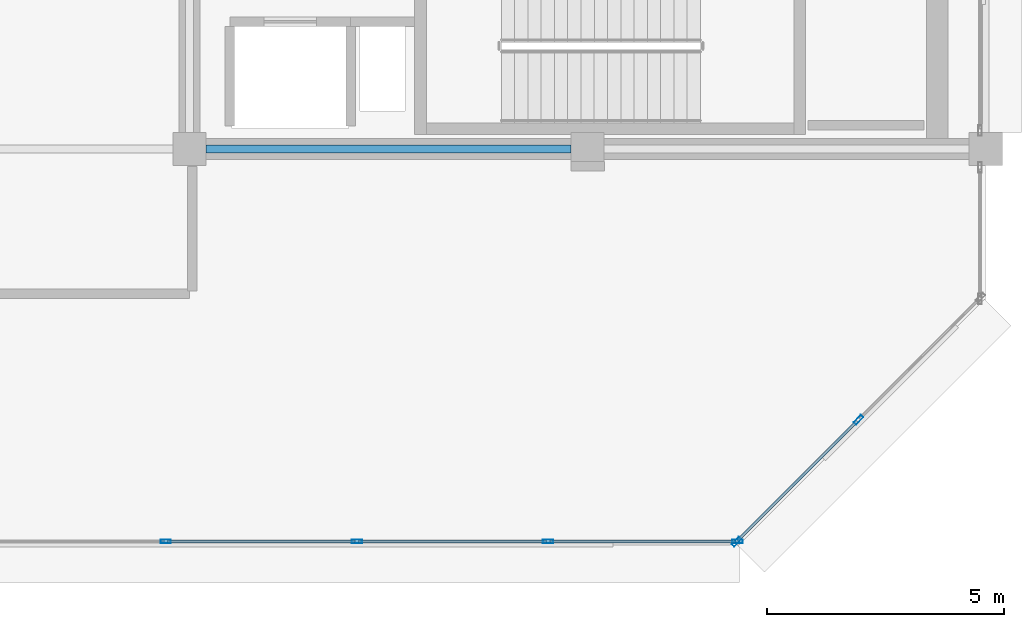
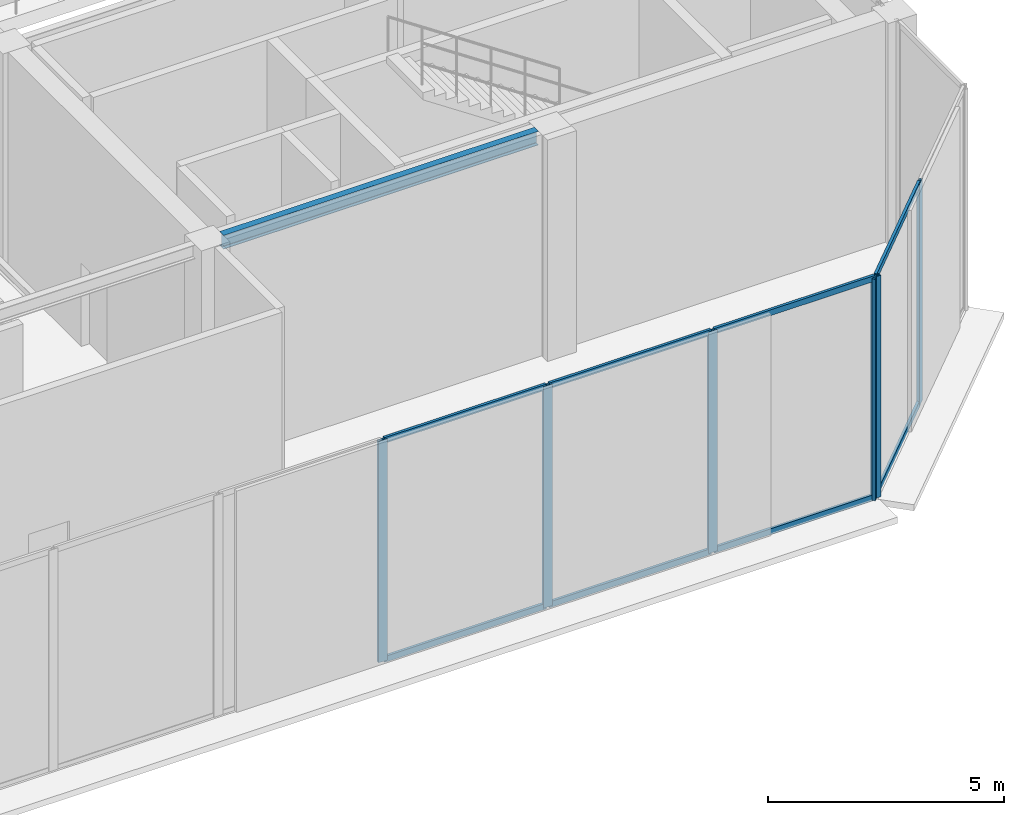
# One storey, part 4 of 19: 14 members, 1 beam, 2 elements without a shape of their own.
"""IFC4 building model written with IfcOpenShell, lengths in metres."""

from ifc_helpers import new_model, si_unit, direction, frame, origin, origin_2d, place, context, subcontext, project, spatial, hollow_rectangle, i_section, extrude, material, layer, layer_set, material_profile, profile_set, type_object, element, aggregate, save


model = new_model("IFC4")

# Units and contexts
model_context = context("Model", 3, precision=1e-05, world=origin(), true_north=direction((0.0, 1.0)))
body_context = subcontext(model_context, "Body", "Model", "MODEL_VIEW")
ifc_project = project(units=[si_unit("LENGTHUNIT", "METRE"), si_unit("AREAUNIT", "SQUARE_METRE"), si_unit("VOLUMEUNIT", "CUBIC_METRE"), si_unit("PLANEANGLEUNIT", "RADIAN"), si_unit("MASSUNIT", "GRAM", prefix="KILO")], contexts=[model_context])

# Site, building, storey
site_placement = place(None, origin())
site = spatial("IfcSite", under=ifc_project, at=site_placement, CompositionType="ELEMENT")
building_placement = place(site_placement, origin())
building = spatial("IfcBuilding", under=site, at=building_placement, Name="Nerrivon Quay Data Exchange", CompositionType="ELEMENT")
storey_placement = place(building_placement, frame((0.0, 0.0, 327.0)))
storey = spatial("IfcBuildingStorey", under=building, at=storey_placement, Name="L78", CompositionType="ELEMENT", Elevation=327.0)

# Beam
ifc_material_1 = material(Name="Steel Grade 350", Category="steel")
ifc_material_profile_1 = material_profile(ifc_material_1, i_section(OverallWidth=0.172119140625, OverallDepth=0.35888671875, WebThickness=0.008056640625, FlangeThickness=0.012939453125, FilletRadius=0.011474609375, at=origin_2d()), Name="360UB56.7")
ifc_profile_set_1 = profile_set([ifc_material_profile_1], Name="Steel Grade 350")
beam_type = type_object("IfcBeamType", Name="BM-J3-360UB57", PredefinedType="JOIST", material=ifc_profile_set_1)
beam_placement = place(storey_placement, frame((17.14990234375, 8.39990234375, 5.54541015625), z_axis=(1.0, 0.0, 0.0), x_axis=(0.0, 1.0, 0.0)))
element("IfcBeam", 1, at=beam_placement, inside=storey, type_object=beam_type, Name="L78 EW Girder Y=8.4 (16.8..25.2)", PredefinedType="JOIST", context=body_context, shape_type="SweptSolid", body=[
    extrude(i_section(OverallWidth=0.172119140625, OverallDepth=0.35888671875, WebThickness=0.008056640625, FlangeThickness=0.012939453125, FilletRadius=0.011474609375, at=origin_2d()), origin(), (0.0, 0.0, 1.0), 7.7001953125),
])

# Curtain wall, members
ifc_material_2 = material(Name="Anodised aluminium 6063-T6", Category="aluminium")
ifc_layer = layer(ifc_material_2, 0.22998046875)
ifc_layer_set = layer_set([ifc_layer], Name="Anodised aluminium 6063-T6")
curtain_wall_type = type_object("IfcCurtainWallType", Name="CW-SYS-05", PredefinedType="NOTDEFINED", material=ifc_layer_set)
curtain_wall_1_placement = place(storey_placement, origin())
curtain_wall_1 = element("IfcCurtainWall", 2, at=curtain_wall_1_placement, inside=storey, type_object=curtain_wall_type, Name="L78 Crown Curtain Wall 4", PredefinedType="NOTDEFINED")
ifc_material_profile_2 = material_profile(ifc_material_2, hollow_rectangle(XDim=0.074951171875, YDim=0.219970703125, WallThickness=0.00390625, at=origin_2d()), Name="ALU-MULL-220x75")
ifc_profile_set_2 = profile_set([ifc_material_profile_2], Name="Anodised aluminium 6063-T6")
member_type_1 = type_object("IfcMemberType", Name="CWM-220x75", PredefinedType="MULLION", material=ifc_profile_set_2)
member_1_placement = place(storey_placement, frame((30.9150390625, 2.684814453125, 0.0), z_axis=(0.0, 0.0, 1.0), x_axis=(0.707106781187, -0.707106781187, 0.0)))
member_1 = element("IfcMember", 3, at=member_1_placement, type_object=member_type_1, Name="CW05 mullion 2", PredefinedType="MULLION", context=body_context, shape_type="SweptSolid", body=[
    extrude(hollow_rectangle(XDim=0.074951171875, YDim=0.219970703125, WallThickness=0.00390625, at=origin_2d()), origin(), (0.0, 0.0, 1.0), 5.72509765625),
])
member_2_placement = place(storey_placement, frame((28.341552734375, 0.111328125, 0.0), z_axis=(0.0, 0.0, 1.0), x_axis=(0.707106781187, -0.707106781187, 0.0)))
member_2 = element("IfcMember", 4, at=member_2_placement, type_object=member_type_1, Name="CW05 mullion 3", PredefinedType="MULLION", context=body_context, shape_type="SweptSolid", body=[
    extrude(hollow_rectangle(XDim=0.074951171875, YDim=0.219970703125, WallThickness=0.00390625, at=origin_2d()), origin(), (0.0, 0.0, 1.0), 5.72509765625),
])

curtain_wall_2_placement = place(storey_placement, origin())
curtain_wall_2 = element("IfcCurtainWall", 5, at=curtain_wall_2_placement, inside=storey, type_object=curtain_wall_type, Name="L78 Crown Curtain Wall 5", PredefinedType="NOTDEFINED")
member_3_placement = place(storey_placement, frame((28.362548828125, 0.1201171875, 0.0), z_axis=(0.0, 0.0, 1.0), x_axis=(0.0, -1.0, 0.0)))
member_3 = element("IfcMember", 6, at=member_3_placement, type_object=member_type_1, Name="CW05 mullion 1", PredefinedType="MULLION", context=body_context, shape_type="SweptSolid", body=[
    extrude(hollow_rectangle(XDim=0.074951171875, YDim=0.219970703125, WallThickness=0.00390625, at=origin_2d()), origin(), (0.0, 0.0, 1.0), 5.72509765625),
])
member_4_placement = place(storey_placement, frame((24.36669921875, 0.1201171875, 0.0), z_axis=(0.0, 0.0, 1.0), x_axis=(0.0, -1.0, 0.0)))
member_4 = element("IfcMember", 7, at=member_4_placement, type_object=member_type_1, Name="CW05 mullion 2", PredefinedType="MULLION", context=body_context, shape_type="SweptSolid", body=[
    extrude(hollow_rectangle(XDim=0.074951171875, YDim=0.219970703125, WallThickness=0.00390625, at=origin_2d()), origin(), (0.0, 0.0, 1.0), 5.72509765625),
])
member_5_placement = place(storey_placement, frame((20.333251953125, 0.1201171875, 0.0), z_axis=(0.0, 0.0, 1.0), x_axis=(0.0, -1.0, 0.0)))
member_5 = element("IfcMember", 8, at=member_5_placement, type_object=member_type_1, Name="CW05 mullion 3", PredefinedType="MULLION", context=body_context, shape_type="SweptSolid", body=[
    extrude(hollow_rectangle(XDim=0.074951171875, YDim=0.219970703125, WallThickness=0.00390625, at=origin_2d()), origin(), (0.0, 0.0, 1.0), 5.72509765625),
])
member_6_placement = place(storey_placement, frame((16.300048828125, 0.1201171875, 0.0), z_axis=(0.0, 0.0, 1.0), x_axis=(0.0, -1.0, 0.0)))
member_6 = element("IfcMember", 9, at=member_6_placement, type_object=member_type_1, Name="CW05 mullion 4", PredefinedType="MULLION", context=body_context, shape_type="SweptSolid", body=[
    extrude(hollow_rectangle(XDim=0.074951171875, YDim=0.219970703125, WallThickness=0.00390625, at=origin_2d()), origin(), (0.0, 0.0, 1.0), 5.72509765625),
])

# Member
ifc_material_profile_3 = material_profile(ifc_material_2, hollow_rectangle(XDim=0.06494140625, YDim=0.14990234375, WallThickness=0.00341796875, at=origin_2d()), Name="ALU-TRAN-150x65")
ifc_profile_set_3 = profile_set([ifc_material_profile_3], Name="Anodised aluminium 6063-T6")
member_type_2 = type_object("IfcMemberType", Name="CWT-150x65", PredefinedType="USERDEFINED", material=ifc_profile_set_3)
member_7_placement = place(storey_placement, frame((30.888671875, 2.658447265625, 0.032470703125), z_axis=(-0.707106781187, -0.707106781187, 0.0), x_axis=(0.707106781187, -0.707106781187, 0.0)))
member_7 = element("IfcMember", 10, at=member_7_placement, type_object=member_type_2, Name="CW05 transom 2.1", ObjectType="TRANSOM", PredefinedType="USERDEFINED", context=body_context, shape_type="SweptSolid", body=[
    extrude(hollow_rectangle(XDim=0.06494140625, YDim=0.14990234375, WallThickness=0.00341796875, at=origin_2d()), origin(), (0.0, 0.0, 1.0), 3.564453125),
])

member_8_placement = place(storey_placement, frame((30.888671875, 2.658447265625, 5.6923828125), z_axis=(-0.707106781187, -0.707106781187, 0.0), x_axis=(0.707106781187, -0.707106781187, 0.0)))
member_8 = element("IfcMember", 11, at=member_8_placement, type_object=member_type_2, Name="CW05 transom 2.2", ObjectType="TRANSOM", PredefinedType="USERDEFINED", context=body_context, shape_type="SweptSolid", body=[
    extrude(hollow_rectangle(XDim=0.06494140625, YDim=0.14990234375, WallThickness=0.00341796875, at=origin_2d()), origin(), (0.0, 0.0, 1.0), 3.564453125),
])

aggregate(curtain_wall_1, [member_1, member_2, member_7, member_8])

member_9_placement = place(storey_placement, frame((28.324951171875, 0.1201171875, 0.032470703125), z_axis=(-1.0, 0.0, 0.0), x_axis=(0.0, -1.0, 0.0)))
member_9 = element("IfcMember", 12, at=member_9_placement, type_object=member_type_2, Name="CW05 transom 1.1", ObjectType="TRANSOM", PredefinedType="USERDEFINED", context=body_context, shape_type="SweptSolid", body=[
    extrude(hollow_rectangle(XDim=0.06494140625, YDim=0.14990234375, WallThickness=0.00341796875, at=origin_2d()), origin(), (0.0, 0.0, 1.0), 3.9208984375),
])

member_10_placement = place(storey_placement, frame((28.324951171875, 0.1201171875, 5.6923828125), z_axis=(-1.0, 0.0, 0.0), x_axis=(0.0, -1.0, 0.0)))
member_10 = element("IfcMember", 13, at=member_10_placement, type_object=member_type_2, Name="CW05 transom 1.2", ObjectType="TRANSOM", PredefinedType="USERDEFINED", context=body_context, shape_type="SweptSolid", body=[
    extrude(hollow_rectangle(XDim=0.06494140625, YDim=0.14990234375, WallThickness=0.00341796875, at=origin_2d()), origin(), (0.0, 0.0, 1.0), 3.9208984375),
])

member_11_placement = place(storey_placement, frame((24.3291015625, 0.1201171875, 0.032470703125), z_axis=(-1.0, 0.0, 0.0), x_axis=(0.0, -1.0, 0.0)))
member_11 = element("IfcMember", 14, at=member_11_placement, type_object=member_type_2, Name="CW05 transom 2.1", ObjectType="TRANSOM", PredefinedType="USERDEFINED", context=body_context, shape_type="SweptSolid", body=[
    extrude(hollow_rectangle(XDim=0.06494140625, YDim=0.14990234375, WallThickness=0.00341796875, at=origin_2d()), origin(), (0.0, 0.0, 1.0), 3.958251953125),
])

member_12_placement = place(storey_placement, frame((24.3291015625, 0.1201171875, 5.6923828125), z_axis=(-1.0, 0.0, 0.0), x_axis=(0.0, -1.0, 0.0)))
member_12 = element("IfcMember", 15, at=member_12_placement, type_object=member_type_2, Name="CW05 transom 2.2", ObjectType="TRANSOM", PredefinedType="USERDEFINED", context=body_context, shape_type="SweptSolid", body=[
    extrude(hollow_rectangle(XDim=0.06494140625, YDim=0.14990234375, WallThickness=0.00341796875, at=origin_2d()), origin(), (0.0, 0.0, 1.0), 3.958251953125),
])

member_13_placement = place(storey_placement, frame((20.2958984375, 0.1201171875, 0.032470703125), z_axis=(-1.0, 0.0, 0.0), x_axis=(0.0, -1.0, 0.0)))
member_13 = element("IfcMember", 16, at=member_13_placement, type_object=member_type_2, Name="CW05 transom 3.1", ObjectType="TRANSOM", PredefinedType="USERDEFINED", context=body_context, shape_type="SweptSolid", body=[
    extrude(hollow_rectangle(XDim=0.06494140625, YDim=0.14990234375, WallThickness=0.00341796875, at=origin_2d()), origin(), (0.0, 0.0, 1.0), 3.95849609375),
])

member_14_placement = place(storey_placement, frame((20.2958984375, 0.1201171875, 5.6923828125), z_axis=(-1.0, 0.0, 0.0), x_axis=(0.0, -1.0, 0.0)))
member_14 = element("IfcMember", 17, at=member_14_placement, type_object=member_type_2, Name="CW05 transom 3.2", ObjectType="TRANSOM", PredefinedType="USERDEFINED", context=body_context, shape_type="SweptSolid", body=[
    extrude(hollow_rectangle(XDim=0.06494140625, YDim=0.14990234375, WallThickness=0.00341796875, at=origin_2d()), origin(), (0.0, 0.0, 1.0), 3.95849609375),
])

aggregate(curtain_wall_2, [member_3, member_4, member_5, member_6, member_9, member_10, member_11, member_12, member_13, member_14])

save(model, "model.ifc")
